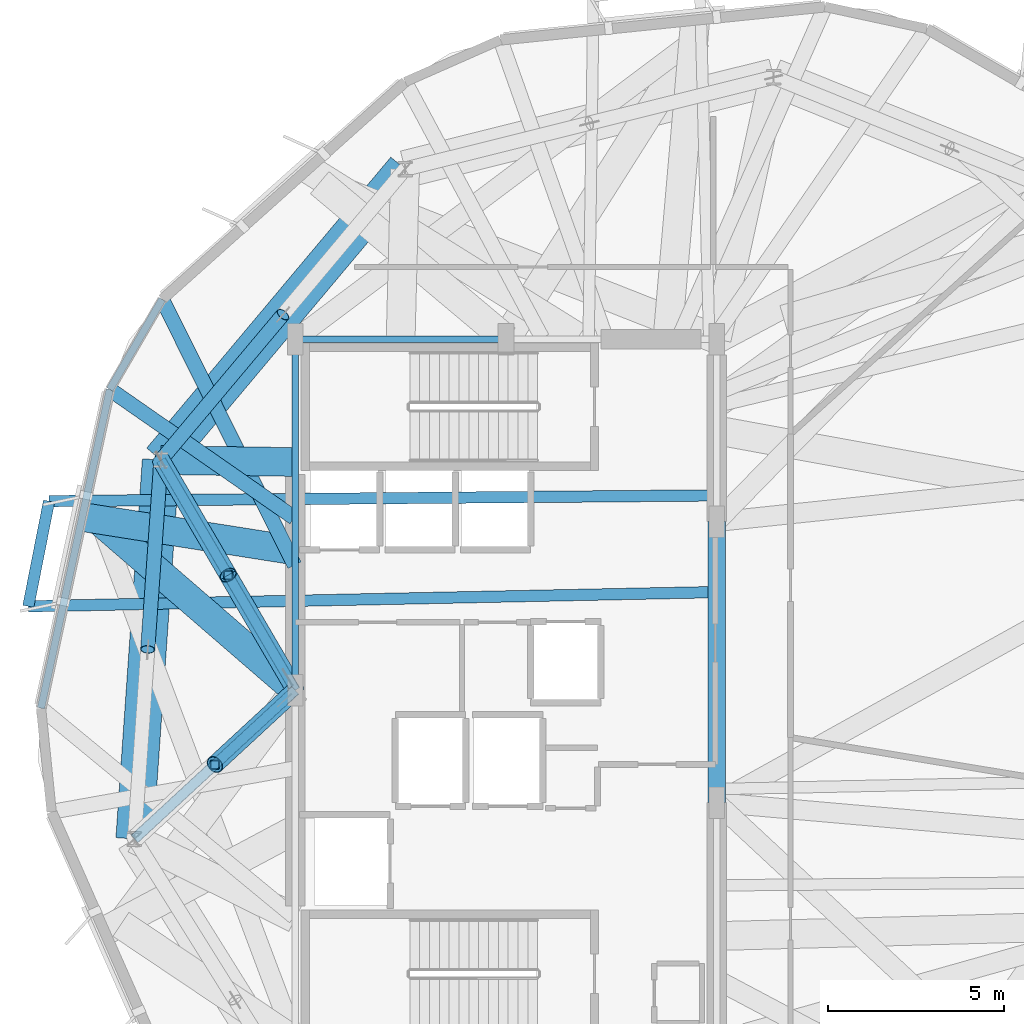
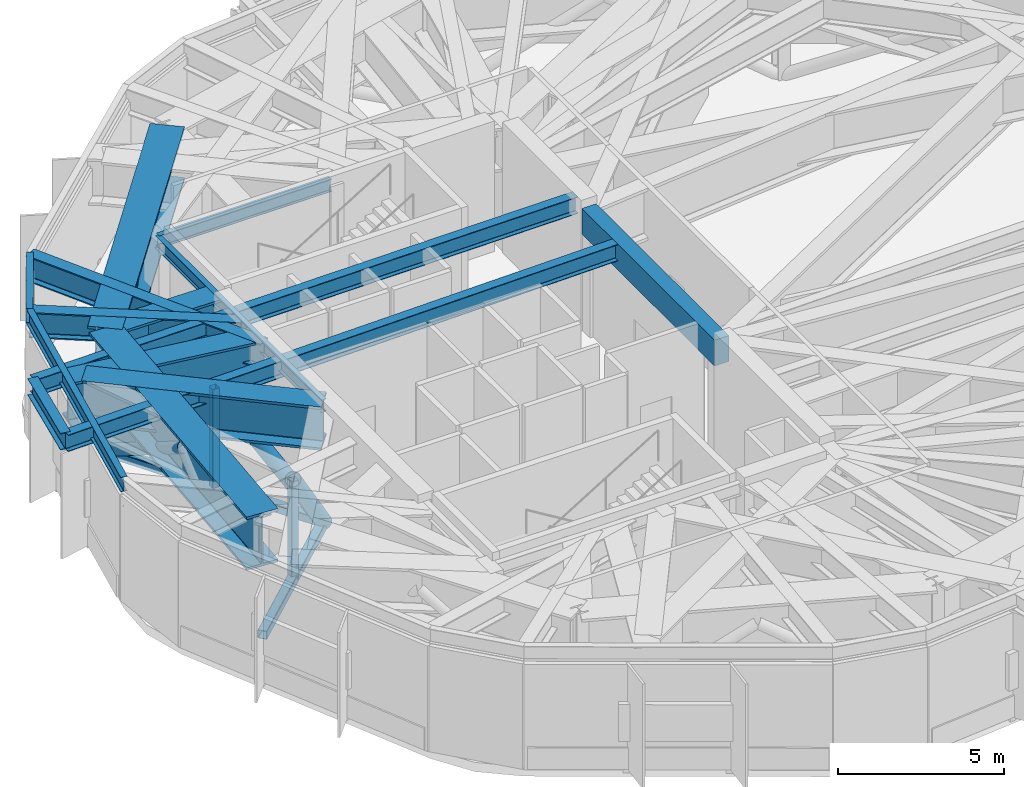
# One storey, part 3 of 14: 15 beams, 9 members.
"""IFC4 building model written with IfcOpenShell, lengths in metres."""

from ifc_helpers import new_model, si_unit, direction, frame, origin, origin_2d, place, context, subcontext, project, spatial, rectangle, hollow_rectangle, hollow_circle, i_section, extrude, material, material_profile, profile_set, type_object, element, save


model = new_model("IFC4")

# Units and contexts
model_context = context("Model", 3, precision=1e-05, world=origin(), true_north=direction((0.0, 1.0)))
body_context = subcontext(model_context, "Body", "Model", "MODEL_VIEW")
ifc_project = project(units=[si_unit("LENGTHUNIT", "METRE"), si_unit("AREAUNIT", "SQUARE_METRE"), si_unit("VOLUMEUNIT", "CUBIC_METRE"), si_unit("PLANEANGLEUNIT", "RADIAN"), si_unit("MASSUNIT", "GRAM", prefix="KILO")], contexts=[model_context])

# Site, building, storey
site_placement = place(None, origin())
site = spatial("IfcSite", under=ifc_project, at=site_placement, CompositionType="ELEMENT")
building_placement = place(site_placement, origin())
building = spatial("IfcBuilding", under=site, at=building_placement, Name="Soratama Intermodal Tower", CompositionType="ELEMENT")
storey_placement = place(building_placement, frame((0.0, 0.0, 185.800048828125)))
storey = spatial("IfcBuildingStorey", under=building, at=storey_placement, Name="L46", CompositionType="ELEMENT", Elevation=185.800048828125)

# Beams
ifc_material_1 = material(Name="Structural steel ASTM A992 Grade 50", Category="steel")
ifc_material_profile_1 = material_profile(ifc_material_1, i_section(OverallWidth=0.324951171875, OverallDepth=0.615966796875, WebThickness=0.013916015625, FlangeThickness=0.021484375, FilletRadius=0.013916015625, at=origin_2d()), Name="W24X117")
ifc_profile_set_1 = profile_set([ifc_material_profile_1], Name="Structural steel ASTM A992 Grade 50")
beam_type_1 = type_object("IfcBeamType", Name="BM-CANT-W24X117", PredefinedType="BEAM", material=ifc_profile_set_1)
beam_1_placement = place(storey_placement, frame((25.587890625, 30.385986328125, 4.19189453125), z_axis=(-0.19347103093, -0.981105988255, 0.0), x_axis=(0.981105988255, -0.19347103093, 0.0)))
element("IfcBeam", 1, at=beam_1_placement, inside=storey, type_object=beam_type_1, Name="BM-L46-CBHDR-3", PredefinedType="BEAM", context=body_context, shape_type="SweptSolid", body=[
    extrude(i_section(OverallWidth=0.324951171875, OverallDepth=0.615966796875, WebThickness=0.013916015625, FlangeThickness=0.021484375, FilletRadius=0.013916015625, at=origin_2d()), origin(), (0.0, 0.0, 1.0), 3.0537109375),
])
beam_2_placement = place(storey_placement, frame((44.56005859375, 30.549072265625, 4.19189453125), z_axis=(-0.999963055904, -0.008595744709, 0.0), x_axis=(0.008595744709, -0.999963055904, 0.0)))
element("IfcBeam", 2, at=beam_2_placement, inside=storey, type_object=beam_type_1, Name="BM-L46-CANT-3-1", PredefinedType="BEAM", context=body_context, shape_type="SweptSolid", body=[
    extrude(i_section(OverallWidth=0.324951171875, OverallDepth=0.615966796875, WebThickness=0.013916015625, FlangeThickness=0.021484375, FilletRadius=0.013916015625, at=origin_2d()), origin(), (0.0, 0.0, 1.0), 18.972900390625),
])
beam_3_placement = place(storey_placement, frame((44.364990234375, 27.791015625, 4.19189453125), z_axis=(-0.999785602563, -0.020706252852, 0.0), x_axis=(0.020706252852, -0.999785602563, 0.0)))
element("IfcBeam", 3, at=beam_3_placement, inside=storey, type_object=beam_type_1, Name="BM-L46-CANT-3-2", PredefinedType="BEAM", context=body_context, shape_type="SweptSolid", body=[
    extrude(i_section(OverallWidth=0.324951171875, OverallDepth=0.615966796875, WebThickness=0.013916015625, FlangeThickness=0.021484375, FilletRadius=0.013916015625, at=origin_2d()), origin(), (0.0, 0.0, 1.0), 19.3720703125),
])
ifc_material_2 = material(Name="Concrete f'c 56 MPa", Category="concrete")
ifc_material_profile_2 = material_profile(ifc_material_2, rectangle(XDim=0.5, YDim=0.949951171875, at=origin_2d()), Name="RC500X950")
ifc_profile_set_2 = profile_set([ifc_material_profile_2], Name="Concrete f'c 56 MPa")
beam_type_2 = type_object("IfcBeamType", Name="BM-CPL-RC500X950", PredefinedType="BEAM", material=ifc_profile_set_2)
beam_4_placement = place(storey_placement, frame((44.60009765625, 21.800048828125, 4.02490234375), z_axis=(0.0, 1.0, 0.0), x_axis=(-1.0, 0.0, 0.0)))
element("IfcBeam", 4, at=beam_4_placement, inside=storey, type_object=beam_type_2, Name="L46 Core Coupling Beam East", PredefinedType="BEAM", context=body_context, shape_type="SweptSolid", body=[
    extrude(rectangle(XDim=0.5, YDim=0.949951171875, at=origin_2d()), origin(), (0.0, 0.0, 1.0), 8.0),
])
ifc_material_3 = material(Name="Structural steel ASTM A992 Grade 50", Category="steel")
ifc_material_profile_3 = material_profile(ifc_material_3, i_section(OverallWidth=0.19091796875, OverallDepth=0.4599609375, WebThickness=0.010009765625, FlangeThickness=0.01611328125, FilletRadius=0.010986328125, at=origin_2d()), Name="W18X55")
ifc_profile_set_3 = profile_set([ifc_material_profile_3], Name="Structural steel ASTM A992 Grade 50")
beam_type_3 = type_object("IfcBeamType", Name="BM-FLR-W18X55", PredefinedType="BEAM", material=ifc_profile_set_3)
beam_5_placement = place(storey_placement, frame((38.60009765625, 35.0, 4.27001953125), z_axis=(-1.0, 0.0, 0.0), x_axis=(0.0, -1.0, 0.0)))
element("IfcBeam", 5, at=beam_5_placement, inside=storey, type_object=beam_type_3, Name="BM-L46-CRING-07", PredefinedType="BEAM", context=body_context, shape_type="SweptSolid", body=[
    extrude(i_section(OverallWidth=0.19091796875, OverallDepth=0.4599609375, WebThickness=0.010009765625, FlangeThickness=0.01611328125, FilletRadius=0.010986328125, at=origin_2d()), origin(), (0.0, 0.0, 1.0), 6.0),
])
beam_6_placement = place(storey_placement, frame((32.60009765625, 35.0, 4.27001953125), z_axis=(0.0, -1.0, 0.0), x_axis=(1.0, 0.0, 0.0)))
element("IfcBeam", 6, at=beam_6_placement, inside=storey, type_object=beam_type_3, Name="BM-L46-CRING-08", PredefinedType="BEAM", context=body_context, shape_type="SweptSolid", body=[
    extrude(i_section(OverallWidth=0.19091796875, OverallDepth=0.4599609375, WebThickness=0.010009765625, FlangeThickness=0.01611328125, FilletRadius=0.010986328125, at=origin_2d()), origin(), (0.0, 0.0, 1.0), 10.0),
])
ifc_material_4 = material(Name="Structural steel ASTM A992 Grade 50", Category="steel")
ifc_material_profile_4 = material_profile(ifc_material_4, i_section(OverallWidth=0.423095703125, OverallDepth=0.93896484375, WebThickness=0.02392578125, FlangeThickness=0.042724609375, FilletRadius=0.02392578125, at=origin_2d()), Name="W36X302")
ifc_profile_set_4 = profile_set([ifc_material_profile_4], Name="Structural steel ASTM A992 Grade 50")
beam_type_4 = type_object("IfcBeamType", Name="BM-POD-W36X302", PredefinedType="BEAM", material=ifc_profile_set_4)
beam_7_placement = place(storey_placement, frame((32.58203125, 28.56103515625, 4.030517578125), z_axis=(-0.44602411052, 0.895020945473, 0.0), x_axis=(-0.895020945473, -0.44602411052, 0.0)))
element("IfcBeam", 7, at=beam_7_placement, inside=storey, type_object=beam_type_4, Name="BM-L46-TIE1-03", PredefinedType="BEAM", context=body_context, shape_type="SweptSolid", body=[
    extrude(i_section(OverallWidth=0.423095703125, OverallDepth=0.93896484375, WebThickness=0.02392578125, FlangeThickness=0.042724609375, FilletRadius=0.02392578125, at=origin_2d()), origin(), (0.0, 0.0, 1.0), 8.458984375),
])
beam_8_placement = place(storey_placement, frame((32.56689453125, 29.912109375, 4.030517578125), z_axis=(-0.82065148626, 0.571429031551, 0.0), x_axis=(-0.571429031551, -0.82065148626, 0.0)))
element("IfcBeam", 8, at=beam_8_placement, inside=storey, type_object=beam_type_4, Name="BM-L46-TIE0-04", PredefinedType="BEAM", context=body_context, shape_type="SweptSolid", body=[
    extrude(i_section(OverallWidth=0.423095703125, OverallDepth=0.93896484375, WebThickness=0.02392578125, FlangeThickness=0.042724609375, FilletRadius=0.02392578125, at=origin_2d()), origin(), (0.0, 0.0, 1.0), 6.395751953125),
])
ifc_material_5 = material(Name="Structural steel ASTM A992 Grade 50", Category="steel")
ifc_material_profile_5 = material_profile(ifc_material_5, i_section(OverallWidth=0.2099609375, OverallDepth=0.537109375, WebThickness=0.010986328125, FlangeThickness=0.017333984375, FilletRadius=0.012939453125, at=origin_2d()), Name="W21X68")
ifc_profile_set_5 = profile_set([ifc_material_profile_5], Name="Structural steel ASTM A992 Grade 50")
beam_type_5 = type_object("IfcBeamType", Name="BM-SPN-W21X68", PredefinedType="SPANDREL", material=ifc_profile_set_5)
beam_9_placement = place(storey_placement, frame((28.80908203125, 36.132080078125, 4.2314453125), z_axis=(-0.50251462057, -0.864568711042, 0.0), x_axis=(0.864568711042, -0.50251462057, 0.0)))
element("IfcBeam", 9, at=beam_9_placement, inside=storey, type_object=beam_type_5, Name="BS-L46-CRN03", PredefinedType="SPANDREL", context=body_context, shape_type="SweptSolid", body=[
    extrude(i_section(OverallWidth=0.2099609375, OverallDepth=0.537109375, WebThickness=0.010986328125, FlangeThickness=0.017333984375, FilletRadius=0.012939453125, at=origin_2d()), origin(), (0.0, 0.0, 1.0), 2.967041015625),
])
beam_10_placement = place(storey_placement, frame((27.318115234375, 33.56689453125, 4.2314453125), z_axis=(-0.211067390203, -0.977471512011, 0.0), x_axis=(0.977471512011, -0.211067390203, 0.0)))
element("IfcBeam", 10, at=beam_10_placement, inside=storey, type_object=beam_type_5, Name="BS-L46-F04", PredefinedType="SPANDREL", context=body_context, shape_type="SweptSolid", body=[
    extrude(i_section(OverallWidth=0.2099609375, OverallDepth=0.537109375, WebThickness=0.010986328125, FlangeThickness=0.017333984375, FilletRadius=0.012939453125, at=origin_2d()), origin(), (0.0, 0.0, 1.0), 9.287109375),
])
ifc_material_6 = material(Name="Structural steel ASTM A992 Grade 50", Category="steel")
ifc_material_profile_6 = material_profile(ifc_material_6, i_section(OverallWidth=0.820068359375, OverallDepth=1.699951171875, WebThickness=0.053955078125, FlangeThickness=0.087890625, FilletRadius=0.02392578125, at=origin_2d()), Name="PG1580X800")
ifc_profile_set_6 = profile_set([ifc_material_profile_6], Name="Structural steel ASTM A992 Grade 50")
beam_type_6 = type_object("IfcBeamType", Name="BM-ZSTEP-PG1580", PredefinedType="BEAM", material=ifc_profile_set_6)
beam_11_placement = place(storey_placement, frame((32.51611328125, 28.990966796875, 3.64990234375), z_axis=(-0.987799547054, 0.155730712577, 0.0), x_axis=(-0.155730712577, -0.987799547054, 0.0)))
element("IfcBeam", 11, at=beam_11_placement, inside=storey, type_object=beam_type_6, Name="BM-L46-ZCHORD-05", PredefinedType="BEAM", context=body_context, shape_type="SweptSolid", body=[
    extrude(i_section(OverallWidth=0.820068359375, OverallDepth=1.699951171875, WebThickness=0.053955078125, FlangeThickness=0.087890625, FilletRadius=0.02392578125, at=origin_2d()), origin(), (0.0, 0.0, 1.0), 6.05615234375),
])
beam_12_placement = place(storey_placement, frame((32.60009765625, 31.5, 3.64990234375), z_axis=(-0.999893261134, 0.014610487289, 0.0), x_axis=(-0.014610487289, -0.999893261134, 0.0)))
element("IfcBeam", 12, at=beam_12_placement, inside=storey, type_object=beam_type_6, Name="BM-L46-RAD-05", PredefinedType="BEAM", context=body_context, shape_type="SweptSolid", body=[
    extrude(i_section(OverallWidth=0.820068359375, OverallDepth=1.699951171875, WebThickness=0.053955078125, FlangeThickness=0.087890625, FilletRadius=0.02392578125, at=origin_2d()), origin(), (0.0, 0.0, 1.0), 3.82666015625),
])
ifc_material_7 = material(Name="Structural steel ASTM A992 Grade 50", Category="steel")
ifc_material_profile_7 = material_profile(ifc_material_7, i_section(OverallWidth=0.820068359375, OverallDepth=1.60205078125, WebThickness=0.055908203125, FlangeThickness=0.092041015625, FilletRadius=0.02392578125, at=origin_2d()), Name="PG1600X650")
ifc_profile_set_7 = profile_set([ifc_material_profile_7], Name="Structural steel ASTM A992 Grade 50")
beam_type_7 = type_object("IfcBeamType", Name="BM-ZSTEP-PG1600", PredefinedType="BEAM", material=ifc_profile_set_7)
beam_13_placement = place(storey_placement, frame((32.60009765625, 25.0, 3.698974609375), z_axis=(-0.756364059714, 0.654150907033, 0.0), x_axis=(-0.654150907033, -0.756364059714, 0.0)))
element("IfcBeam", 13, at=beam_13_placement, inside=storey, type_object=beam_type_7, Name="BM-L46-ZSTEP-A05", PredefinedType="BEAM", context=body_context, shape_type="SweptSolid", body=[
    extrude(i_section(OverallWidth=0.820068359375, OverallDepth=1.60205078125, WebThickness=0.055908203125, FlangeThickness=0.092041015625, FilletRadius=0.02392578125, at=origin_2d()), origin(), (0.0, 0.0, 1.0), 7.359130859375),
])
ifc_material_8 = material(Name="Structural steel ASTM A992 Grade 50", Category="steel")
ifc_material_profile_8 = material_profile(ifc_material_8, i_section(OverallWidth=1.06005859375, OverallDepth=1.9599609375, WebThickness=0.05810546875, FlangeThickness=0.095947265625, FilletRadius=0.02392578125, at=origin_2d()), Name="PG2400X900")
ifc_profile_set_8 = profile_set([ifc_material_profile_8], Name="Structural steel ASTM A992 Grade 50")
beam_type_8 = type_object("IfcBeamType", Name="BM-ZSTEP-PG2400", PredefinedType="BEAM", material=ifc_profile_set_8)
beam_14_placement = place(storey_placement, frame((35.72607421875, 39.841064453125, 3.52001953125), z_axis=(-0.642791781199, -0.766040942785, 0.0), x_axis=(0.766040942785, -0.642791781199, 0.0)))
element("IfcBeam", 14, at=beam_14_placement, inside=storey, type_object=beam_type_8, Name="BM-L46-RING-04", PredefinedType="BEAM", context=body_context, shape_type="SweptSolid", body=[
    extrude(i_section(OverallWidth=1.06005859375, OverallDepth=1.9599609375, WebThickness=0.05810546875, FlangeThickness=0.095947265625, FilletRadius=0.02392578125, at=origin_2d()), origin(), (0.0, 0.0, 1.0), 10.815673828125),
])
beam_15_placement = place(storey_placement, frame((28.77392578125, 31.555908203125, 3.52001953125), z_axis=(-0.069702217409, -0.99756784275, 0.0), x_axis=(0.99756784275, -0.069702217409, 0.0)))
element("IfcBeam", 15, at=beam_15_placement, inside=storey, type_object=beam_type_8, Name="BM-L46-RING-05", PredefinedType="BEAM", context=body_context, shape_type="SweptSolid", body=[
    extrude(i_section(OverallWidth=1.06005859375, OverallDepth=1.9599609375, WebThickness=0.05810546875, FlangeThickness=0.095947265625, FilletRadius=0.02392578125, at=origin_2d()), origin(), (0.0, 0.0, 1.0), 10.816162109375),
])

# Members
ifc_material_9 = material(Name="Structural steel ASTM A500 Grade C", Category="steel")
ifc_material_profile_9 = material_profile(ifc_material_9, hollow_circle(Radius=0.203125, WallThickness=0.01611328125, at=origin_2d()), Name="CHS406X16")
ifc_profile_set_9 = profile_set([ifc_material_profile_9], Name="Structural steel ASTM A500 Grade C")
member_type_1 = type_object("IfcMemberType", Name="MB-BLT-CHS406", PredefinedType="BRACE", material=ifc_profile_set_9)
member_1_placement = place(storey_placement, frame((28.7744140625, 31.5556640625, 0.010009765625), z_axis=(0.539147527535, 0.64256902769, 0.544449252186), x_axis=(-0.766063173185, 0.642765287402, 0.0)))
element("IfcMember", 16, at=member_1_placement, inside=storey, type_object=member_type_1, Name="L46 Belt Truss Brace B 04", PredefinedType="BRACE", context=body_context, shape_type="SweptSolid", body=[
    extrude(hollow_circle(Radius=0.203125, WallThickness=0.01611328125, at=origin_2d()), origin(), (0.0, 0.0, 1.0), 6.447021484375),
])
member_2_placement = place(storey_placement, frame((28.7744140625, 31.5556640625, 0.010009765625), z_axis=(-0.058505833273, -0.836765953293, 0.544426126194), x_axis=(0.997564592961, -0.06974871232, 0.0)))
element("IfcMember", 17, at=member_2_placement, inside=storey, type_object=member_type_1, Name="L46 Belt Truss Brace A 05", PredefinedType="BRACE", context=body_context, shape_type="SweptSolid", body=[
    extrude(hollow_circle(Radius=0.203125, WallThickness=0.01611328125, at=origin_2d()), origin(), (0.0, 0.0, 1.0), 6.447265625),
])
ifc_material_10 = material(Name="Structural steel ASTM A500 Grade C", Category="steel")
ifc_material_profile_10 = material_profile(ifc_material_10, hollow_rectangle(XDim=0.3046875, YDim=0.3046875, WallThickness=0.01611328125, InnerFilletRadius=0.01611328125, OuterFilletRadius=0.031982421875, at=origin_2d()), Name="HSS305X305X16")
ifc_profile_set_10 = profile_set([ifc_material_profile_10], Name="Structural steel ASTM A500 Grade C")
member_type_2 = type_object("IfcMemberType", Name="MB-CHD-HSS305", PredefinedType="CHORD", material=ifc_profile_set_10)
member_3_placement = place(storey_placement, frame((32.60009765625, 25.0, 0.02001953125), z_axis=(-0.73435158027, -0.678769295531, 0.0), x_axis=(0.678769295531, -0.73435158027, 0.0)))
element("IfcMember", 18, at=member_3_placement, inside=storey, type_object=member_type_2, Name="L46 Outrigger Chord 06", PredefinedType="CHORD", context=body_context, shape_type="SweptSolid", body=[
    extrude(hollow_rectangle(XDim=0.3046875, YDim=0.3046875, WallThickness=0.01611328125, InnerFilletRadius=0.01611328125, OuterFilletRadius=0.031982421875, at=origin_2d()), origin(), (0.0, 0.0, 1.0), 6.2373046875),
])
member_4_placement = place(storey_placement, frame((32.60009765625, 25.0, 0.02001953125), z_axis=(-0.504023009082, 0.863690225901, 0.0), x_axis=(-0.863690225901, -0.504023009082, 0.0)))
element("IfcMember", 19, at=member_4_placement, inside=storey, type_object=member_type_2, Name="L46 Outrigger Chord 05", PredefinedType="CHORD", context=body_context, shape_type="SweptSolid", body=[
    extrude(hollow_rectangle(XDim=0.3046875, YDim=0.3046875, WallThickness=0.01611328125, InnerFilletRadius=0.01611328125, OuterFilletRadius=0.031982421875, at=origin_2d()), origin(), (0.0, 0.0, 1.0), 7.59033203125),
])
ifc_material_11 = material(Name="Structural steel ASTM A500 Grade C", Category="steel")
ifc_material_profile_11 = material_profile(ifc_material_11, hollow_circle(Radius=0.25390625, WallThickness=0.01904296875, at=origin_2d()), Name="CHS508X19")
ifc_profile_set_11 = profile_set([ifc_material_profile_11], Name="Structural steel ASTM A500 Grade C")
member_type_3 = type_object("IfcMemberType", Name="MB-OUT-CHS508", PredefinedType="BRACE", material=ifc_profile_set_11)
member_5_placement = place(storey_placement, frame((32.60009765625, 25.0, 0.010009765625), z_axis=(-0.477820653898, -0.441605912941, 0.759388991469), x_axis=(0.678728675378, -0.734389123843, 0.0)))
element("IfcMember", 20, at=member_5_placement, inside=storey, type_object=member_type_3, Name="L46 Outrigger Brace Inner 06", PredefinedType="BRACE", context=body_context, shape_type="SweptSolid", body=[
    extrude(hollow_circle(Radius=0.25390625, WallThickness=0.01904296875, at=origin_2d()), origin(), (0.0, 0.0, 1.0), 4.793212890625),
])
for number, where, z_axis, x_axis, name in (
    (21, (32.60009765625, 25.0, 0.010009765625), (-0.363760934713, 0.623338137773, 0.692190398932), (-0.863690225901, -0.504023009082, 0.0), "L46 Outrigger Brace Inner 05"),
    (22, (28.7744140625, 31.5556640625, 0.010009765625), (0.363760934713, -0.623338137773, 0.692190398932), (0.863690225901, 0.504023009082, 0.0), "L46 Outrigger Brace Outer 05"),
):
    element("IfcMember", number, at=place(storey_placement, frame(where, z_axis=z_axis, x_axis=x_axis)), inside=storey, type_object=member_type_3, Name=name, PredefinedType="BRACE", context=body_context, shape_type="SweptSolid", body=[
        extrude(hollow_circle(Radius=0.25390625, WallThickness=0.01904296875, at=origin_2d()), origin(), (0.0, 0.0, 1.0), 5.258544921875),
    ])
ifc_material_12 = material(Name="Structural steel ASTM A500 Grade C", Category="steel")
ifc_material_profile_12 = material_profile(ifc_material_12, hollow_rectangle(XDim=0.25390625, YDim=0.25390625, WallThickness=0.0126953125, InnerFilletRadius=0.0126953125, OuterFilletRadius=0.025390625, at=origin_2d()), Name="HSS254X254X12.7")
ifc_profile_set_12 = profile_set([ifc_material_profile_12], Name="Structural steel ASTM A500 Grade C")
member_type_4 = type_object("IfcMemberType", Name="MB-PST-HSS254", PredefinedType="POST", material=ifc_profile_set_12)
for number, where, z_axis, x_axis, name in (
    (23, (30.309814453125, 22.88330078125, 0.010009765625), (0.0, 0.0, 1.0), (1.0, 0.0, 0.0), "L46 Outrigger Post 06"),
    (24, (30.687255859375, 28.27783203125, 0.010009765625), (0.0, 0.0, 1.0), (1.0, 0.0, 0.0), "L46 Outrigger Post 05"),
):
    element("IfcMember", number, at=place(storey_placement, frame(where, z_axis=z_axis, x_axis=x_axis)), inside=storey, type_object=member_type_4, Name=name, PredefinedType="POST", context=body_context, shape_type="SweptSolid", body=[
        extrude(hollow_rectangle(XDim=0.25390625, YDim=0.25390625, WallThickness=0.0126953125, InnerFilletRadius=0.0126953125, OuterFilletRadius=0.025390625, at=origin_2d()), origin(), (0.0, 0.0, 1.0), 3.639892578125),
    ])

save(model, "model.ifc")
